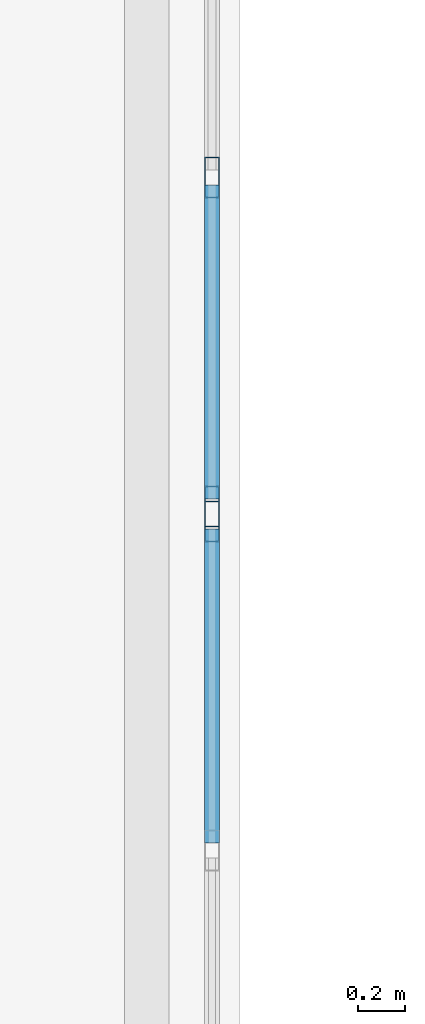
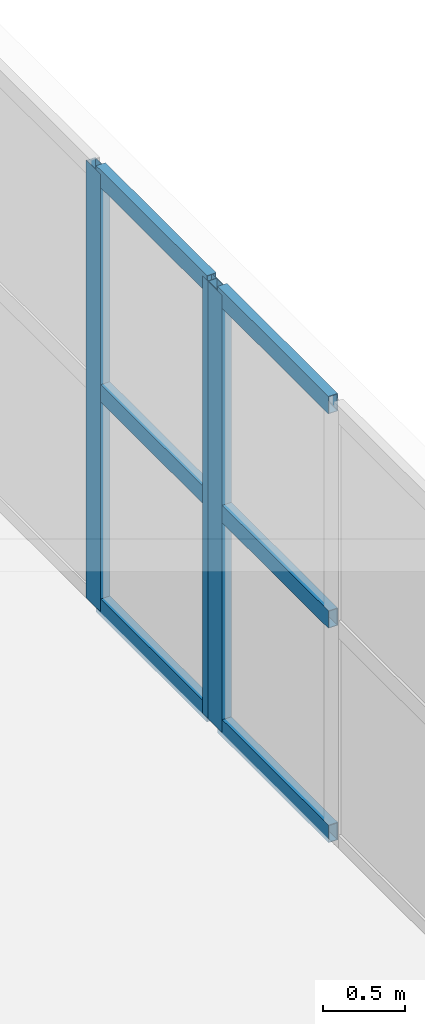
# One storey, part 67 of 146: 9 members, 2 elements without a shape of their own.
"""IFC4 building model written with IfcOpenShell, lengths in metres."""

from ifc_helpers import new_model, si_unit, direction, frame, origin, origin_2d, place, context, subcontext, project, spatial, hollow_rectangle, extrude, material, layer, layer_set, material_profile, profile_set, type_object, element, aggregate, save


model = new_model("IFC4")

# Units and contexts
model_context = context("Model", 3, precision=1e-05, world=origin(), true_north=direction((0.0, 1.0)))
body_context = subcontext(model_context, "Body", "Model", "MODEL_VIEW")
ifc_project = project(units=[si_unit("LENGTHUNIT", "METRE"), si_unit("AREAUNIT", "SQUARE_METRE"), si_unit("VOLUMEUNIT", "CUBIC_METRE"), si_unit("PLANEANGLEUNIT", "RADIAN"), si_unit("MASSUNIT", "GRAM", prefix="KILO")], contexts=[model_context])

# Site, building, storey
site_placement = place(None, origin())
site = spatial("IfcSite", under=ifc_project, at=site_placement, CompositionType="ELEMENT")
building_placement = place(site_placement, origin())
building = spatial("IfcBuilding", under=site, at=building_placement, Name="Valcora Specialist Clinic", CompositionType="ELEMENT")
storey_placement = place(building_placement, frame((0.0, 0.0, 9.52001953125)))
storey = spatial("IfcBuildingStorey", under=building, at=storey_placement, Name="L02", CompositionType="ELEMENT", Elevation=9.52001953125)

# Curtain wall, member
ifc_material = material(Name="Anodized Bronze Aluminium 6063-T6", Category="aluminium")
ifc_layer = layer(ifc_material, 0.175048828125)
ifc_layer_set = layer_set([ifc_layer], Name="Anodized Bronze Aluminium 6063-T6")
curtain_wall_type = type_object("IfcCurtainWallType", Name="TY-CW-BRG14", PredefinedType="NOTDEFINED", material=ifc_layer_set)
curtain_wall_1_placement = place(storey_placement, origin())
curtain_wall_1 = element("IfcCurtainWall", 1, at=curtain_wall_1_placement, inside=storey, type_object=curtain_wall_type, Name="Curtain wall CW-L02-264", PredefinedType="NOTDEFINED")
ifc_material_profile_1 = material_profile(ifc_material, hollow_rectangle(XDim=0.06494140625, YDim=0.175048828125, WallThickness=0.00390625, at=origin_2d()), Name="AL-MUL-65X175")
ifc_profile_set_1 = profile_set([ifc_material_profile_1], Name="Anodized Bronze Aluminium 6063-T6")
member_type_1 = type_object("IfcMemberType", Name="TY-CWM-65X175", PredefinedType="MULLION", material=ifc_profile_set_1)
member_1_placement = place(storey_placement, frame((65.280029296875, 62.13427734375, 0.0), z_axis=(0.0, 0.0, 1.0), x_axis=(-1.0, 0.0, 0.0)))
member_1 = element("IfcMember", 2, at=member_1_placement, type_object=member_type_1, Name="CW-BRG-14 mullion 5", PredefinedType="MULLION", context=body_context, shape_type="SweptSolid", body=[
    extrude(hollow_rectangle(XDim=0.06494140625, YDim=0.175048828125, WallThickness=0.00390625, at=origin_2d()), origin(), (0.0, 0.0, 1.0), 3.239990234375),
])

# Curtain wall, members
curtain_wall_2_placement = place(storey_placement, origin())
curtain_wall_2 = element("IfcCurtainWall", 3, at=curtain_wall_2_placement, inside=storey, type_object=curtain_wall_type, Name="Curtain wall CW-L02-265", PredefinedType="NOTDEFINED")
member_2_placement = place(storey_placement, frame((65.280029296875, 62.19921875, 0.0), z_axis=(0.0, 0.0, 1.0), x_axis=(-1.0, 0.0, 0.0)))
member_2 = element("IfcMember", 4, at=member_2_placement, type_object=member_type_1, Name="CW-BRG-14 mullion 1", PredefinedType="MULLION", context=body_context, shape_type="SweptSolid", body=[
    extrude(hollow_rectangle(XDim=0.06494140625, YDim=0.175048828125, WallThickness=0.00390625, at=origin_2d()), origin(), (0.0, 0.0, 1.0), 3.239990234375),
])
member_3_placement = place(storey_placement, frame((65.280029296875, 63.6083984375, 0.0), z_axis=(0.0, 0.0, 1.0), x_axis=(-1.0, 0.0, 0.0)))
member_3 = element("IfcMember", 5, at=member_3_placement, type_object=member_type_1, Name="CW-BRG-14 mullion 2", PredefinedType="MULLION", context=body_context, shape_type="SweptSolid", body=[
    extrude(hollow_rectangle(XDim=0.06494140625, YDim=0.175048828125, WallThickness=0.00390625, at=origin_2d()), origin(), (0.0, 0.0, 1.0), 3.239990234375),
])

# Member
ifc_material_profile_2 = material_profile(ifc_material, hollow_rectangle(XDim=0.06494140625, YDim=0.1298828125, WallThickness=0.00390625, at=origin_2d()), Name="AL-TRN-65X130")
ifc_profile_set_2 = profile_set([ifc_material_profile_2], Name="Anodized Bronze Aluminium 6063-T6")
member_type_2 = type_object("IfcMemberType", Name="TY-CWT-65X130", PredefinedType="USERDEFINED", material=ifc_profile_set_2)
member_4_placement = place(storey_placement, frame((65.280029296875, 60.757568359375, 0.032470703125), z_axis=(0.0, 1.0, 0.0), x_axis=(-1.0, 0.0, 0.0)))
member_4 = element("IfcMember", 6, at=member_4_placement, type_object=member_type_2, Name="CW-BRG-14 transom 4.1", ObjectType="TRANSOM", PredefinedType="USERDEFINED", context=body_context, shape_type="SweptSolid", body=[
    extrude(hollow_rectangle(XDim=0.06494140625, YDim=0.1298828125, WallThickness=0.00390625, at=origin_2d()), origin(), (0.0, 0.0, 1.0), 1.34423828125),
])

member_5_placement = place(storey_placement, frame((65.280029296875, 60.757568359375, 1.619873046875), z_axis=(0.0, 1.0, 0.0), x_axis=(-1.0, 0.0, 0.0)))
member_5 = element("IfcMember", 7, at=member_5_placement, type_object=member_type_2, Name="CW-BRG-14 transom 4.2", ObjectType="TRANSOM", PredefinedType="USERDEFINED", context=body_context, shape_type="SweptSolid", body=[
    extrude(hollow_rectangle(XDim=0.06494140625, YDim=0.1298828125, WallThickness=0.00390625, at=origin_2d()), origin(), (0.0, 0.0, 1.0), 1.34423828125),
])

member_6_placement = place(storey_placement, frame((65.280029296875, 60.757568359375, 3.20751953125), z_axis=(0.0, 1.0, 0.0), x_axis=(-1.0, 0.0, 0.0)))
member_6 = element("IfcMember", 8, at=member_6_placement, type_object=member_type_2, Name="CW-BRG-14 transom 4.3", ObjectType="TRANSOM", PredefinedType="USERDEFINED", context=body_context, shape_type="SweptSolid", body=[
    extrude(hollow_rectangle(XDim=0.06494140625, YDim=0.1298828125, WallThickness=0.00390625, at=origin_2d()), origin(), (0.0, 0.0, 1.0), 1.34423828125),
])

aggregate(curtain_wall_1, [member_1, member_4, member_5, member_6])

member_7_placement = place(storey_placement, frame((65.280029296875, 62.231689453125, 0.032470703125), z_axis=(0.0, 1.0, 0.0), x_axis=(-1.0, 0.0, 0.0)))
member_7 = element("IfcMember", 9, at=member_7_placement, type_object=member_type_2, Name="CW-BRG-14 transom 1.1", ObjectType="TRANSOM", PredefinedType="USERDEFINED", context=body_context, shape_type="SweptSolid", body=[
    extrude(hollow_rectangle(XDim=0.06494140625, YDim=0.1298828125, WallThickness=0.00390625, at=origin_2d()), origin(), (0.0, 0.0, 1.0), 1.34423828125),
])

member_8_placement = place(storey_placement, frame((65.280029296875, 62.231689453125, 1.619873046875), z_axis=(0.0, 1.0, 0.0), x_axis=(-1.0, 0.0, 0.0)))
member_8 = element("IfcMember", 10, at=member_8_placement, type_object=member_type_2, Name="CW-BRG-14 transom 1.2", ObjectType="TRANSOM", PredefinedType="USERDEFINED", context=body_context, shape_type="SweptSolid", body=[
    extrude(hollow_rectangle(XDim=0.06494140625, YDim=0.1298828125, WallThickness=0.00390625, at=origin_2d()), origin(), (0.0, 0.0, 1.0), 1.34423828125),
])

member_9_placement = place(storey_placement, frame((65.280029296875, 62.231689453125, 3.20751953125), z_axis=(0.0, 1.0, 0.0), x_axis=(-1.0, 0.0, 0.0)))
member_9 = element("IfcMember", 11, at=member_9_placement, type_object=member_type_2, Name="CW-BRG-14 transom 1.3", ObjectType="TRANSOM", PredefinedType="USERDEFINED", context=body_context, shape_type="SweptSolid", body=[
    extrude(hollow_rectangle(XDim=0.06494140625, YDim=0.1298828125, WallThickness=0.00390625, at=origin_2d()), origin(), (0.0, 0.0, 1.0), 1.34423828125),
])

aggregate(curtain_wall_2, [member_2, member_3, member_7, member_8, member_9])

save(model, "model.ifc")
